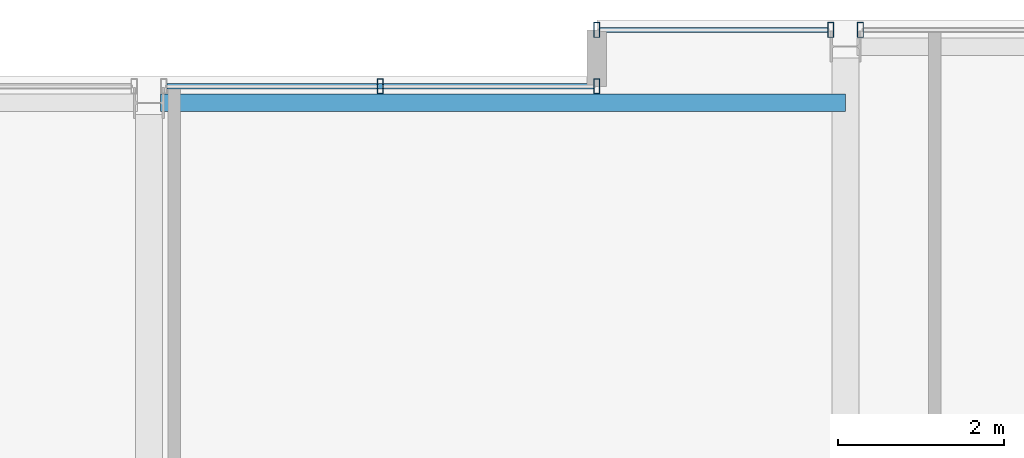
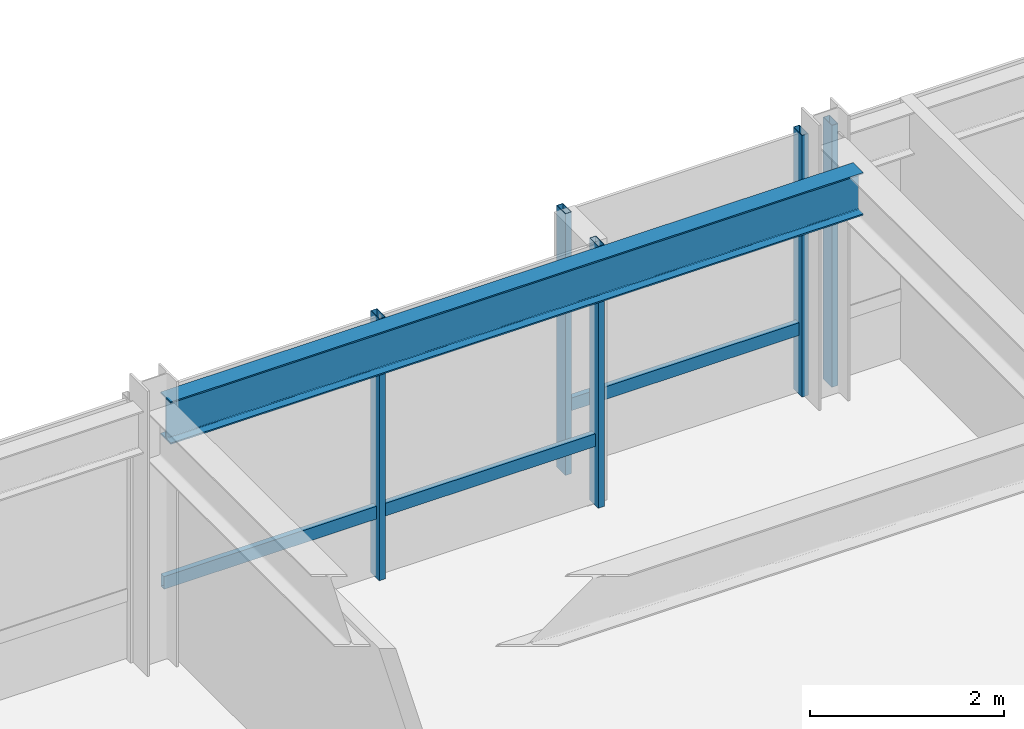
# One storey, part 23 of 34: 7 members, 1 beam, 3 elements without a shape of their own.
"""IFC4 building model written with IfcOpenShell, lengths in metres."""

from ifc_helpers import new_model, si_unit, direction, frame, origin, origin_2d, place, context, subcontext, project, spatial, hollow_rectangle, i_section, extrude, material, layer, layer_set, material_profile, profile_set, type_object, element, aggregate, save


model = new_model("IFC4")

# Units and contexts
model_context = context("Model", 3, precision=1e-05, world=origin(), true_north=direction((0.0, 1.0)))
body_context = subcontext(model_context, "Body", "Model", "MODEL_VIEW")
ifc_project = project(units=[si_unit("LENGTHUNIT", "METRE"), si_unit("AREAUNIT", "SQUARE_METRE"), si_unit("VOLUMEUNIT", "CUBIC_METRE"), si_unit("PLANEANGLEUNIT", "RADIAN"), si_unit("MASSUNIT", "GRAM", prefix="KILO")], contexts=[model_context])

# Site, building, storey
site_placement = place(None, origin())
site = spatial("IfcSite", under=ifc_project, at=site_placement, CompositionType="ELEMENT")
building_placement = place(site_placement, origin())
building = spatial("IfcBuilding", under=site, at=building_placement, Name="Drelvath Grand Hotel", CompositionType="ELEMENT")
storey_placement = place(building_placement, frame((0.0, 0.0, 251.89990234375)))
storey = spatial("IfcBuildingStorey", under=building, at=storey_placement, Name="L66", CompositionType="ELEMENT", Elevation=251.89990234375)

# Curtain wall, member
ifc_material_1 = material(Name="Platinum-Mist Anodised Aluminium Frame", Category="aluminium")
ifc_layer = layer(ifc_material_1, 0.199951171875)
ifc_layer_set = layer_set([ifc_layer], Name="Platinum-Mist Anodised Aluminium Frame")
curtain_wall_type = type_object("IfcCurtainWallType", Name="Stick Curtain Wall CW-05 Platinum Mist High-Rise", PredefinedType="NOTDEFINED", material=ifc_layer_set)
curtain_wall_1_placement = place(storey_placement, origin())
curtain_wall_1 = element("IfcCurtainWall", 1, at=curtain_wall_1_placement, inside=storey, type_object=curtain_wall_type, Name="L66 CW-05 Curtain Wall CW05-L66-NM2", PredefinedType="NOTDEFINED")
ifc_material_profile_1 = material_profile(ifc_material_1, hollow_rectangle(XDim=0.06494140625, YDim=0.159912109375, WallThickness=0.00390625, at=origin_2d()), Name="HSS160X65X4")
ifc_profile_set_1 = profile_set([ifc_material_profile_1], Name="Platinum-Mist Anodised Aluminium Frame")
member_type_1 = type_object("IfcMemberType", Name="Curtain Wall Horizontal Transom CW-05 HSS160X65X4", PredefinedType="USERDEFINED", material=ifc_profile_set_1)
member_1_placement = place(storey_placement, frame((0.21826171875, 48.39990234375, 0.8251953125), z_axis=(1.0, 0.0, 0.0), x_axis=(0.0, 1.0, 0.0)))
member_1 = element("IfcMember", 2, at=member_1_placement, type_object=member_type_1, Name="CW05-L66-NM2 Sill Transom", ObjectType="TRANSOM", PredefinedType="USERDEFINED", context=body_context, shape_type="SweptSolid", body=[
    extrude(hollow_rectangle(XDim=0.06494140625, YDim=0.159912109375, WallThickness=0.00390625, at=origin_2d()), origin(), (0.0, 0.0, 1.0), 5.141845703125),
])

curtain_wall_2_placement = place(storey_placement, origin())
curtain_wall_2 = element("IfcCurtainWall", 3, at=curtain_wall_2_placement, inside=storey, type_object=curtain_wall_type, Name="L66 CW-05 Curtain Wall CW05-L66-NE1", PredefinedType="NOTDEFINED")
member_2_placement = place(storey_placement, frame((5.43994140625, 49.080078125, 0.8251953125), z_axis=(1.0, 0.0, 0.0), x_axis=(0.0, 1.0, 0.0)))
member_2 = element("IfcMember", 4, at=member_2_placement, type_object=member_type_1, Name="CW05-L66-NE1 Sill Transom", ObjectType="TRANSOM", PredefinedType="USERDEFINED", context=body_context, shape_type="SweptSolid", body=[
    extrude(hollow_rectangle(XDim=0.06494140625, YDim=0.159912109375, WallThickness=0.00390625, at=origin_2d()), origin(), (0.0, 0.0, 1.0), 2.741943359375),
])

# Member
ifc_material_profile_2 = material_profile(ifc_material_1, hollow_rectangle(XDim=0.074951171875, YDim=0.179931640625, WallThickness=0.0048828125, at=origin_2d()), Name="HSS180X75X5")
ifc_profile_set_2 = profile_set([ifc_material_profile_2], Name="Platinum-Mist Anodised Aluminium Frame")
member_type_2 = type_object("IfcMemberType", Name="Curtain Wall Vertical Mullion CW-05 HSS180X75X5", PredefinedType="MULLION", material=ifc_profile_set_2)
member_3_placement = place(storey_placement, frame((2.7890625, 48.39990234375, 0.0), z_axis=(0.0, 0.0, 1.0), x_axis=(1.0, 0.0, 0.0)))
member_3 = element("IfcMember", 5, at=member_3_placement, type_object=member_type_2, Name="CW05-L66-NM2 Mullion 2", PredefinedType="MULLION", context=body_context, shape_type="SweptSolid", body=[
    extrude(hollow_rectangle(XDim=0.074951171875, YDim=0.179931640625, WallThickness=0.0048828125, at=origin_2d()), origin(), (0.0, 0.0, 1.0), 3.300048828125),
])

member_4_placement = place(storey_placement, frame((5.39990234375, 48.39990234375, 0.0), z_axis=(0.0, 0.0, 1.0), x_axis=(1.0, 0.0, 0.0)))
member_4 = element("IfcMember", 6, at=member_4_placement, type_object=member_type_2, Name="CW05-L66-NM2 Mullion 3", PredefinedType="MULLION", context=body_context, shape_type="SweptSolid", body=[
    extrude(hollow_rectangle(XDim=0.074951171875, YDim=0.179931640625, WallThickness=0.0048828125, at=origin_2d()), origin(), (0.0, 0.0, 1.0), 3.300048828125),
])

aggregate(curtain_wall_1, [member_3, member_4, member_1])

member_5_placement = place(storey_placement, frame((5.39990234375, 49.080078125, 0.0), z_axis=(0.0, 0.0, 1.0), x_axis=(1.0, 0.0, 0.0)))
member_5 = element("IfcMember", 7, at=member_5_placement, type_object=member_type_2, Name="CW05-L66-NE1 Mullion 1", PredefinedType="MULLION", context=body_context, shape_type="SweptSolid", body=[
    extrude(hollow_rectangle(XDim=0.074951171875, YDim=0.179931640625, WallThickness=0.0048828125, at=origin_2d()), origin(), (0.0, 0.0, 1.0), 3.300048828125),
])

member_6_placement = place(storey_placement, frame((8.2216796875, 49.080078125, 0.0), z_axis=(0.0, 0.0, 1.0), x_axis=(1.0, 0.0, 0.0)))
member_6 = element("IfcMember", 8, at=member_6_placement, type_object=member_type_2, Name="CW05-L66-NE1 Mullion 2", PredefinedType="MULLION", context=body_context, shape_type="SweptSolid", body=[
    extrude(hollow_rectangle(XDim=0.074951171875, YDim=0.179931640625, WallThickness=0.0048828125, at=origin_2d()), origin(), (0.0, 0.0, 1.0), 3.300048828125),
])

aggregate(curtain_wall_2, [member_5, member_6, member_2])

# Curtain wall, member
curtain_wall_3_placement = place(storey_placement, origin())
curtain_wall_3 = element("IfcCurtainWall", 9, at=curtain_wall_3_placement, inside=storey, type_object=curtain_wall_type, Name="L66 CW-05 Curtain Wall CW05-L66-NE2", PredefinedType="NOTDEFINED")
member_7_placement = place(storey_placement, frame((8.578125, 49.080078125, 0.0), z_axis=(0.0, 0.0, 1.0), x_axis=(1.0, 0.0, 0.0)))
member_7 = element("IfcMember", 10, at=member_7_placement, type_object=member_type_2, Name="CW05-L66-NE2 Mullion 1", PredefinedType="MULLION", context=body_context, shape_type="SweptSolid", body=[
    extrude(hollow_rectangle(XDim=0.074951171875, YDim=0.179931640625, WallThickness=0.0048828125, at=origin_2d()), origin(), (0.0, 0.0, 1.0), 3.300048828125),
])
aggregate(curtain_wall_3, [member_7])

# Beam
ifc_material_2 = material(Name="Steel ASTM A992 Gr 50", Category="steel")
ifc_material_profile_3 = material_profile(ifc_material_2, i_section(OverallWidth=0.210205078125, OverallDepth=0.53662109375, WebThickness=0.010986328125, FlangeThickness=0.017333984375, FilletRadius=0.01806640625, at=origin_2d()), Name="W21X68")
ifc_profile_set_3 = profile_set([ifc_material_profile_3], Name="Steel ASTM A992 Gr 50")
beam_type = type_object("IfcBeamType", Name="Perimeter Spandrel Beam W21X68", PredefinedType="SPANDREL", material=ifc_profile_set_3)
beam_placement = place(storey_placement, frame((0.139892578125, 48.199951171875, 3.03173828125), z_axis=(1.0, 0.0, 0.0), x_axis=(0.0, 1.0, 0.0)))
element("IfcBeam", 11, at=beam_placement, inside=storey, type_object=beam_type, Name="L66 Spandrel North Mid E", PredefinedType="SPANDREL", context=body_context, shape_type="SweptSolid", body=[
    extrude(i_section(OverallWidth=0.210205078125, OverallDepth=0.53662109375, WebThickness=0.010986328125, FlangeThickness=0.017333984375, FilletRadius=0.01806640625, at=origin_2d()), origin(), (0.0, 0.0, 1.0), 8.260009765625),
])

save(model, "model.ifc")
